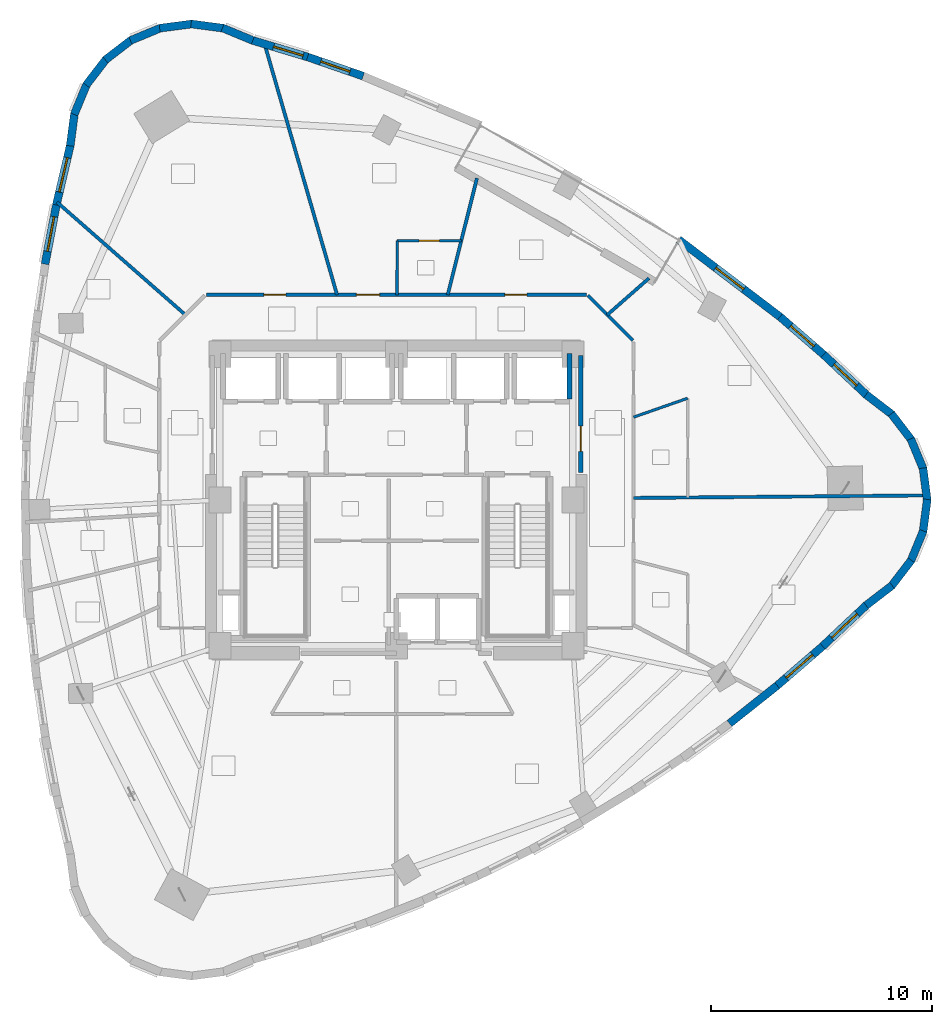
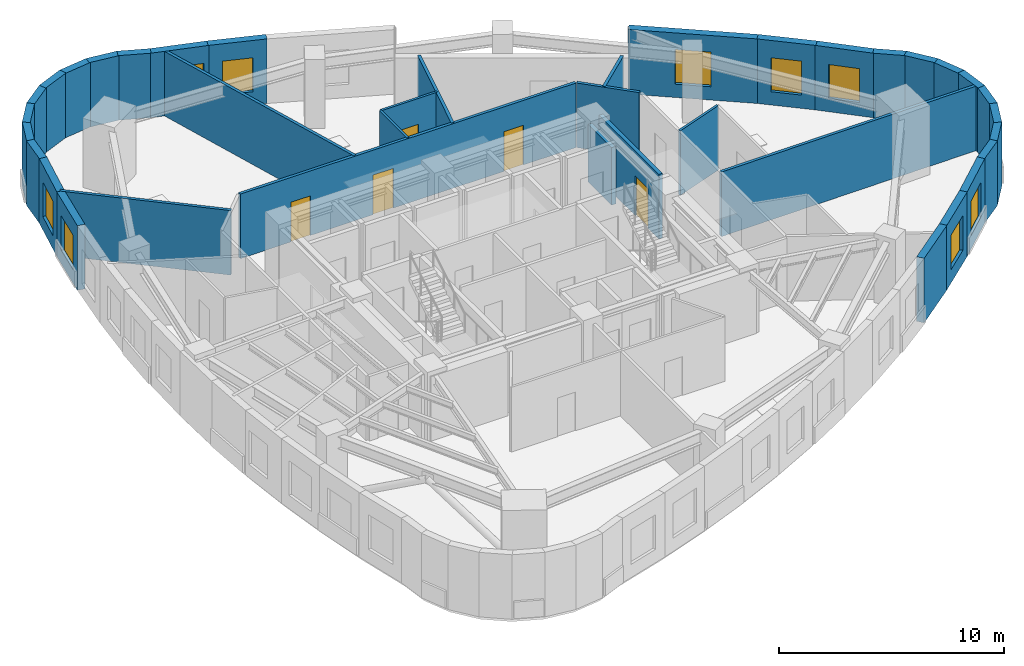
# One storey, part 10 of 14: 38 walls, 9 windows, 5 doors, 14 openings.
"""IFC4 building model written with IfcOpenShell, lengths in metres."""

from ifc_helpers import new_model, si_unit, direction, frame, frame_2d, origin, place, context, subcontext, project, spatial, rectangle, extrude, material, layer, layer_set, type_object, element, fill, save


model = new_model("IFC4")

# Units and contexts
model_context = context("Model", 3, precision=1e-05, world=origin(), true_north=direction((0.0, 1.0)))
body_context = subcontext(model_context, "Body", "Model", "MODEL_VIEW")
ifc_project = project(units=[si_unit("LENGTHUNIT", "METRE"), si_unit("AREAUNIT", "SQUARE_METRE"), si_unit("VOLUMEUNIT", "CUBIC_METRE"), si_unit("PLANEANGLEUNIT", "RADIAN"), si_unit("MASSUNIT", "GRAM", prefix="KILO")], contexts=[model_context])

# Site, building, storey
site_placement = place(None, origin())
site = spatial("IfcSite", under=ifc_project, at=site_placement, CompositionType="ELEMENT")
building_placement = place(site_placement, origin())
building = spatial("IfcBuilding", under=site, at=building_placement, Name="Ndelora Gate Hotel", CompositionType="ELEMENT")
storey_placement = place(building_placement, frame((0.0, 0.0, 127.25)))
storey = spatial("IfcBuildingStorey", under=building, at=storey_placement, Name="L31", CompositionType="ELEMENT", Elevation=127.25)

# Walls
ifc_material_1 = material(Name="Clay Brick Masonry", Category="masonry")
ifc_layer_1 = layer(ifc_material_1, 0.360107421875)
ifc_layer_set_1 = layer_set([ifc_layer_1], Name="Clay Brick Masonry")
wall_type_1 = type_object("IfcWallType", Name="WL-BRICK-360", PredefinedType="SOLIDWALL", material=ifc_layer_set_1)
for number, where, z_axis, x_axis, name in (
    (1, (-7.8798828125, 21.39599609375, 0.0), (0.0, 0.0, 1.0), (0.923886669429, -0.382666201867, 0.0), "L31 Tower Brick Pier-and-Spandrel Wall TWR-1"),
    (2, (-9.304931640625, 21.576904296875, 0.0), (0.0, 0.0, 1.0), (0.991453176983, -0.130463013345, 0.0), "L31 Tower Brick Pier-and-Spandrel Wall TWR-2"),
    (3, (-10.728515625, 21.383056640625, 0.0), (0.0, 0.0, 1.0), (0.991453176983, 0.130463013345, 0.0), "L31 Tower Brick Pier-and-Spandrel Wall TWR-3"),
):
    element("IfcWall", number, at=place(storey_placement, frame(where, z_axis=z_axis, x_axis=x_axis)), inside=storey, type_object=wall_type_1, Name=name, PredefinedType="SOLIDWALL", context=body_context, shape_type="SweptSolid", body=[
        extrude(rectangle(XDim=1.48583984375, YDim=0.360107421875, at=frame_2d((0.742919921875, 0.0))), origin(), (0.0, 0.0, 1.0), 3.5),
    ])
wall_1_placement = place(storey_placement, frame((-12.05322265625, 20.827392578125, 0.0), z_axis=(0.0, 0.0, 1.0), x_axis=(0.923862604215, 0.382724298331, 0.0)))
element("IfcWall", 4, at=wall_1_placement, inside=storey, type_object=wall_type_1, Name="L31 Tower Brick Pier-and-Spandrel Wall TWR-4", PredefinedType="SOLIDWALL", context=body_context, shape_type="SweptSolid", body=[
    extrude(rectangle(XDim=1.485595703125, YDim=0.360107421875, at=frame_2d((0.74267578125, 0.0))), origin(), (0.0, 0.0, 1.0), 3.5),
])
for number, where, z_axis, x_axis, name in (
    (5, (-13.189208984375, 19.947509765625, 0.0), (0.0, 0.0, 1.0), (0.793325936538, 0.608797140611, 0.0), "L31 Tower Brick Pier-and-Spandrel Wall TWR-5"),
    (6, (-14.05859375, 18.803955078125, 0.0), (0.0, 0.0, 1.0), (0.608797140611, 0.793325936538, 0.0), "L31 Tower Brick Pier-and-Spandrel Wall TWR-6"),
):
    element("IfcWall", number, at=place(storey_placement, frame(where, z_axis=z_axis, x_axis=x_axis)), inside=storey, type_object=wall_type_1, Name=name, PredefinedType="SOLIDWALL", context=body_context, shape_type="SweptSolid", body=[
        extrude(rectangle(XDim=1.48583984375, YDim=0.360107421875, at=frame_2d((0.742919921875, 0.0))), origin(), (0.0, 0.0, 1.0), 3.5),
    ])
wall_2_placement = place(storey_placement, frame((-14.602294921875, 17.47412109375, 0.0), z_axis=(0.0, 0.0, 1.0), x_axis=(0.382724298331, 0.923862604215, 0.0)))
element("IfcWall", 7, at=wall_2_placement, inside=storey, type_object=wall_type_1, Name="L31 Tower Brick Pier-and-Spandrel Wall TWR-7", PredefinedType="SOLIDWALL", context=body_context, shape_type="SweptSolid", body=[
    extrude(rectangle(XDim=1.485595703125, YDim=0.360107421875, at=frame_2d((0.74267578125, 0.0))), origin(), (0.0, 0.0, 1.0), 3.5),
])
wall_3_placement = place(storey_placement, frame((-14.783447265625, 16.048828125, 0.0), z_axis=(0.0, 0.0, 1.0), x_axis=(0.130463013345, 0.991453176983, 0.0)))
element("IfcWall", 8, at=wall_3_placement, inside=storey, type_object=wall_type_1, Name="L31 Tower Brick Pier-and-Spandrel Wall TWR-8", PredefinedType="SOLIDWALL", context=body_context, shape_type="SweptSolid", body=[
    extrude(rectangle(XDim=1.48583984375, YDim=0.360107421875, at=frame_2d((0.742919921875, 0.0))), origin(), (0.0, 0.0, 1.0), 3.5),
])

# Wall, opening, window
wall_4_placement = place(storey_placement, frame((-15.412353515625, 13.37060546875, 0.0), z_axis=(0.0, 0.0, 1.0), x_axis=(0.22776138749, 0.973716976523, 0.0)))
wall_4 = element("IfcWall", 9, at=wall_4_placement, inside=storey, type_object=wall_type_1, Name="L31 Tower Brick Pier-and-Spandrel Wall TWR-9", PredefinedType="SOLIDWALL", context=body_context, shape_type="SweptSolid", body=[
    extrude(rectangle(XDim=2.801025390625, YDim=0.360107421875, at=frame_2d((1.400390625, 0.0))), origin(), (0.0, 0.0, 1.0), 3.5),
])
opening_1_placement = place(wall_4_placement, frame((0.6005859375, 0.0, 0.719970703125)))
opening_1 = element("IfcOpeningElement", 10, at=opening_1_placement, cuts=wall_4, Name="Opening W03", PredefinedType="OPENING", context=body_context, shape_type="SweptSolid", body=[
    extrude(rectangle(XDim=1.60009765625, YDim=1.8798828125, at=frame_2d((0.800048828125, 0.93994140625))), frame((0.0, 0.18994140625, 0.0), z_axis=(0.0, -1.0, 0.0), x_axis=(1.0, 0.0, 0.0)), (0.0, 0.0, 1.0), 0.380126953125),
])
ifc_material_2 = material(Name="Insulated Low-E Double Glazing in Bronze Aluminium Frame", Category="aluminium")
window_type_1 = type_object("IfcWindowType", Name="WN-CORN-2100", PartitioningType="SINGLE_PANEL", PredefinedType="WINDOW", material=ifc_material_2)
window_1_placement = place(opening_1_placement, origin())
window_1 = element("IfcWindow", 11, at=window_1_placement, inside=storey, type_object=window_type_1, Name="L31 Deep-Set Brick-Pier Window W03", OverallHeight=1.8798828125, OverallWidth=1.60009765625, PartitioningType="SINGLE_PANEL", PredefinedType="WINDOW", context=body_context, shape_type="SweptSolid", body=[
    extrude(rectangle(XDim=1.60009765625, YDim=1.8798828125, at=frame_2d((0.800048828125, 0.93994140625))), frame((0.0, 0.030029296875, 0.0), z_axis=(0.0, -1.0, 0.0), x_axis=(1.0, 0.0, 0.0)), (0.0, 0.0, 1.0), 0.06005859375),
])
fill(opening_1, window_1)

wall_5_placement = place(storey_placement, frame((-15.923828125, 10.691162109375, 0.0), z_axis=(0.0, 0.0, 1.0), x_axis=(0.187911722621, 0.982185921555, 0.0)))
wall_5 = element("IfcWall", 12, at=wall_5_placement, inside=storey, type_object=wall_type_1, Name="L31 Tower Brick Pier-and-Spandrel Wall TWR-10", PredefinedType="SOLIDWALL", context=body_context, shape_type="SweptSolid", body=[
    extrude(rectangle(XDim=2.77783203125, YDim=0.360107421875, at=frame_2d((1.388916015625, 0.0))), origin(), (0.0, 0.0, 1.0), 3.5),
])
opening_2_placement = place(wall_5_placement, frame((0.5888671875, 0.0, 0.719970703125)))
opening_2 = element("IfcOpeningElement", 13, at=opening_2_placement, cuts=wall_5, Name="Opening W01", PredefinedType="OPENING", context=body_context, shape_type="SweptSolid", body=[
    extrude(rectangle(XDim=1.60009765625, YDim=1.8798828125, at=frame_2d((0.800048828125, 0.93994140625))), frame((0.0, 0.18994140625, 0.0), z_axis=(0.0, -1.0, 0.0), x_axis=(1.0, 0.0, 0.0)), (0.0, 0.0, 1.0), 0.380126953125),
])
window_type_2 = type_object("IfcWindowType", Name="WN-DEEP-1600", PartitioningType="SINGLE_PANEL", PredefinedType="WINDOW", material=ifc_material_2)
window_2_placement = place(opening_2_placement, origin())
window_2 = element("IfcWindow", 14, at=window_2_placement, inside=storey, type_object=window_type_2, Name="L31 Deep-Set Brick-Pier Window W01", OverallHeight=1.8798828125, OverallWidth=1.60009765625, PartitioningType="SINGLE_PANEL", PredefinedType="WINDOW", context=body_context, shape_type="SweptSolid", body=[
    extrude(rectangle(XDim=1.60009765625, YDim=1.8798828125, at=frame_2d((0.800048828125, 0.93994140625))), frame((0.0, 0.030029296875, 0.0), z_axis=(0.0, -1.0, 0.0), x_axis=(1.0, 0.0, 0.0)), (0.0, 0.0, 1.0), 0.06005859375),
])
fill(opening_2, window_2)

# Wall
wall_6_placement = place(storey_placement, frame((17.25927734375, -8.412841796875, 0.0), z_axis=(0.0, 0.0, 1.0), x_axis=(-0.783005616034, -0.622014634281, 0.0)))
element("IfcWall", 15, at=wall_6_placement, inside=storey, type_object=wall_type_1, Name="L31 Tower Brick Pier-and-Spandrel Wall TWR-38", PredefinedType="SOLIDWALL", context=body_context, shape_type="SweptSolid", body=[
    extrude(rectangle(XDim=2.758544921875, YDim=0.360107421875, at=frame_2d((1.37939453125, 0.0))), origin(), (0.0, 0.0, 1.0), 3.5),
])

# Wall, opening, window
wall_7_placement = place(storey_placement, frame((19.322509765625, -6.62890625, 0.0), z_axis=(0.0, 0.0, 1.0), x_axis=(-0.756738013258, -0.65371827211, 0.0)))
wall_7 = element("IfcWall", 16, at=wall_7_placement, inside=storey, type_object=wall_type_1, Name="L31 Tower Brick Pier-and-Spandrel Wall TWR-39", PredefinedType="SOLIDWALL", context=body_context, shape_type="SweptSolid", body=[
    extrude(rectangle(XDim=2.77734375, YDim=0.360107421875, at=frame_2d((1.388671875, 0.0))), origin(), (0.0, 0.0, 1.0), 3.5),
])
opening_3_placement = place(wall_7_placement, frame((0.5888671875, 0.0, 0.719970703125)))
opening_3 = element("IfcOpeningElement", 17, at=opening_3_placement, cuts=wall_7, Name="Opening W01", PredefinedType="OPENING", context=body_context, shape_type="SweptSolid", body=[
    extrude(rectangle(XDim=1.60009765625, YDim=1.8798828125, at=frame_2d((0.800048828125, 0.93994140625))), frame((0.0, 0.18994140625, 0.0), z_axis=(0.0, -1.0, 0.0), x_axis=(1.0, 0.0, 0.0)), (0.0, 0.0, 1.0), 0.380126953125),
])
window_3_placement = place(opening_3_placement, origin())
window_3 = element("IfcWindow", 18, at=window_3_placement, inside=storey, type_object=window_type_2, Name="L31 Deep-Set Brick-Pier Window W01", OverallHeight=1.8798828125, OverallWidth=1.60009765625, PartitioningType="SINGLE_PANEL", PredefinedType="WINDOW", context=body_context, shape_type="SweptSolid", body=[
    extrude(rectangle(XDim=1.60009765625, YDim=1.8798828125, at=frame_2d((0.800048828125, 0.93994140625))), frame((0.0, 0.030029296875, 0.0), z_axis=(0.0, -1.0, 0.0), x_axis=(1.0, 0.0, 0.0)), (0.0, 0.0, 1.0), 0.06005859375),
])
fill(opening_3, window_3)

wall_8_placement = place(storey_placement, frame((21.32861328125, -4.74609375, 0.0), z_axis=(0.0, 0.0, 1.0), x_axis=(-0.729447500313, -0.684036800389, 0.0)))
wall_8 = element("IfcWall", 19, at=wall_8_placement, inside=storey, type_object=wall_type_1, Name="L31 Tower Brick Pier-and-Spandrel Wall TWR-40", PredefinedType="SOLIDWALL", context=body_context, shape_type="SweptSolid", body=[
    extrude(rectangle(XDim=2.801025390625, YDim=0.360107421875, at=frame_2d((1.400390625, 0.0))), origin(), (0.0, 0.0, 1.0), 3.5),
])
opening_4_placement = place(wall_8_placement, frame((0.6005859375, 0.0, 0.719970703125)))
opening_4 = element("IfcOpeningElement", 20, at=opening_4_placement, cuts=wall_8, Name="Opening W01", PredefinedType="OPENING", context=body_context, shape_type="SweptSolid", body=[
    extrude(rectangle(XDim=1.60009765625, YDim=1.8798828125, at=frame_2d((0.800048828125, 0.93994140625))), frame((0.0, 0.18994140625, 0.0), z_axis=(0.0, -1.0, 0.0), x_axis=(1.0, 0.0, 0.0)), (0.0, 0.0, 1.0), 0.380126953125),
])
window_4_placement = place(opening_4_placement, origin())
window_4 = element("IfcWindow", 21, at=window_4_placement, inside=storey, type_object=window_type_2, Name="L31 Deep-Set Brick-Pier Window W01", OverallHeight=1.8798828125, OverallWidth=1.60009765625, PartitioningType="SINGLE_PANEL", PredefinedType="WINDOW", context=body_context, shape_type="SweptSolid", body=[
    extrude(rectangle(XDim=1.60009765625, YDim=1.8798828125, at=frame_2d((0.800048828125, 0.93994140625))), frame((0.0, 0.030029296875, 0.0), z_axis=(0.0, -1.0, 0.0), x_axis=(1.0, 0.0, 0.0)), (0.0, 0.0, 1.0), 0.06005859375),
])
fill(opening_4, window_4)

# Walls
for number, where, z_axis, x_axis, name in (
    (22, (22.46923828125, -3.873779296875, 0.0), (0.0, 0.0, 1.0), (-0.793325936538, -0.608797140611, 0.0), "L31 Tower Brick Pier-and-Spandrel Wall TWR-41"),
    (23, (23.338623046875, -2.730224609375, 0.0), (0.0, 0.0, 1.0), (-0.608797140611, -0.793325936538, 0.0), "L31 Tower Brick Pier-and-Spandrel Wall TWR-42"),
    (24, (23.882568359375, -1.400390625, 0.0), (0.0, 0.0, 1.0), (-0.382666201867, -0.923886669429, 0.0), "L31 Tower Brick Pier-and-Spandrel Wall TWR-43"),
    (25, (24.063720703125, 0.02490234375, 0.0), (0.0, 0.0, 1.0), (-0.130624522576, -0.991431910976, 0.0), "L31 Tower Brick Pier-and-Spandrel Wall TWR-44"),
    (26, (23.86962890625, 1.4482421875, 0.0), (0.0, 0.0, 1.0), (0.130624522576, -0.991431910976, 0.0), "L31 Tower Brick Pier-and-Spandrel Wall TWR-45"),
    (27, (23.31396484375, 2.773193359375, 0.0), (0.0, 0.0, 1.0), (0.382666201867, -0.923886669429, 0.0), "L31 Tower Brick Pier-and-Spandrel Wall TWR-46"),
    (28, (22.43408203125, 3.908935546875, 0.0), (0.0, 0.0, 1.0), (0.608797140611, -0.793325936538, 0.0), "L31 Tower Brick Pier-and-Spandrel Wall TWR-47"),
    (29, (21.29052734375, 4.7783203125, 0.0), (0.0, 0.0, 1.0), (0.793325936538, -0.608797140611, 0.0), "L31 Tower Brick Pier-and-Spandrel Wall TWR-48"),
):
    element("IfcWall", number, at=place(storey_placement, frame(where, z_axis=z_axis, x_axis=x_axis)), inside=storey, type_object=wall_type_1, Name=name, PredefinedType="SOLIDWALL", context=body_context, shape_type="SweptSolid", body=[
        extrude(rectangle(XDim=1.48583984375, YDim=0.360107421875, at=frame_2d((0.742919921875, 0.0))), origin(), (0.0, 0.0, 1.0), 3.5),
    ])

# Wall, opening, window
wall_9_placement = place(storey_placement, frame((19.36669921875, 6.5888671875, 0.0), z_axis=(0.0, 0.0, 1.0), x_axis=(0.728891962159, -0.684628736981, 0.0)))
wall_9 = element("IfcWall", 30, at=wall_9_placement, inside=storey, type_object=wall_type_1, Name="L31 Tower Brick Pier-and-Spandrel Wall TWR-49", PredefinedType="SOLIDWALL", context=body_context, shape_type="SweptSolid", body=[
    extrude(rectangle(XDim=2.691650390625, YDim=0.360107421875, at=frame_2d((1.345703125, 0.0))), origin(), (0.0, 0.0, 1.0), 3.5),
])
opening_5_placement = place(wall_9_placement, frame((0.645751953125, 0.0, 0.719970703125)))
opening_5 = element("IfcOpeningElement", 31, at=opening_5_placement, cuts=wall_9, Name="Opening W02", PredefinedType="OPENING", context=body_context, shape_type="SweptSolid", body=[
    extrude(rectangle(XDim=1.39990234375, YDim=1.840087890625, at=frame_2d((0.699951171875, 0.919921875))), frame((0.0, 0.18994140625, 0.0), z_axis=(0.0, -1.0, 0.0), x_axis=(1.0, 0.0, 0.0)), (0.0, 0.0, 1.0), 0.380126953125),
])
window_type_3 = type_object("IfcWindowType", Name="WN-DEEP-1400", PartitioningType="SINGLE_PANEL", PredefinedType="WINDOW", material=ifc_material_2)
window_5_placement = place(opening_5_placement, origin())
window_5 = element("IfcWindow", 32, at=window_5_placement, inside=storey, type_object=window_type_3, Name="L31 Deep-Set Brick-Pier Window W02", OverallHeight=1.840087890625, OverallWidth=1.39990234375, PartitioningType="SINGLE_PANEL", PredefinedType="WINDOW", context=body_context, shape_type="SweptSolid", body=[
    extrude(rectangle(XDim=1.39990234375, YDim=1.840087890625, at=frame_2d((0.699951171875, 0.919921875))), frame((0.0, 0.030029296875, 0.0), z_axis=(0.0, -1.0, 0.0), x_axis=(1.0, 0.0, 0.0)), (0.0, 0.0, 1.0), 0.06005859375),
])
fill(opening_5, window_5)

wall_10_placement = place(storey_placement, frame((17.387939453125, 8.305908203125, 0.0), z_axis=(0.0, 0.0, 1.0), x_axis=(0.755058136048, -0.655657846126, 0.0)))
wall_10 = element("IfcWall", 33, at=wall_10_placement, inside=storey, type_object=wall_type_1, Name="L31 Tower Brick Pier-and-Spandrel Wall TWR-50", PredefinedType="SOLIDWALL", context=body_context, shape_type="SweptSolid", body=[
    extrude(rectangle(XDim=2.669921875, YDim=0.360107421875, at=frame_2d((1.3349609375, 0.0))), origin(), (0.0, 0.0, 1.0), 3.5),
])
opening_6_placement = place(wall_10_placement, frame((0.635009765625, 0.0, 0.719970703125)))
opening_6 = element("IfcOpeningElement", 34, at=opening_6_placement, cuts=wall_10, Name="Opening W02", PredefinedType="OPENING", context=body_context, shape_type="SweptSolid", body=[
    extrude(rectangle(XDim=1.39990234375, YDim=1.840087890625, at=frame_2d((0.699951171875, 0.919921875))), frame((0.0, 0.18994140625, 0.0), z_axis=(0.0, -1.0, 0.0), x_axis=(1.0, 0.0, 0.0)), (0.0, 0.0, 1.0), 0.380126953125),
])
window_6_placement = place(opening_6_placement, origin())
window_6 = element("IfcWindow", 35, at=window_6_placement, inside=storey, type_object=window_type_3, Name="L31 Deep-Set Brick-Pier Window W02", OverallHeight=1.840087890625, OverallWidth=1.39990234375, PartitioningType="SINGLE_PANEL", PredefinedType="WINDOW", context=body_context, shape_type="SweptSolid", body=[
    extrude(rectangle(XDim=1.39990234375, YDim=1.840087890625, at=frame_2d((0.699951171875, 0.919921875))), frame((0.0, 0.030029296875, 0.0), z_axis=(0.0, -1.0, 0.0), x_axis=(1.0, 0.0, 0.0)), (0.0, 0.0, 1.0), 0.06005859375),
])
fill(opening_6, window_6)

wall_11_placement = place(storey_placement, frame((12.791259765625, 11.8046875, 0.0), z_axis=(0.0, 0.0, 1.0), x_axis=(0.795558665525, -0.605876563095, 0.0)))
wall_11 = element("IfcWall", 36, at=wall_11_placement, inside=storey, type_object=wall_type_1, Name="L31 Tower Brick Pier-and-Spandrel Wall TWR-51", PredefinedType="SOLIDWALL", context=body_context, shape_type="SweptSolid", body=[
    extrude(rectangle(XDim=5.82666015625, YDim=0.360107421875, at=frame_2d((2.913330078125, 0.0))), origin(), (0.0, 0.0, 1.0), 3.5),
])
opening_7_placement = place(wall_11_placement, frame((2.11328125, 0.0, 0.719970703125)))
opening_7 = element("IfcOpeningElement", 37, at=opening_7_placement, cuts=wall_11, Name="Opening W01", PredefinedType="OPENING", context=body_context, shape_type="SweptSolid", body=[
    extrude(rectangle(XDim=1.60009765625, YDim=1.8798828125, at=frame_2d((0.800048828125, 0.93994140625))), frame((0.0, 0.18994140625, 0.0), z_axis=(0.0, -1.0, 0.0), x_axis=(1.0, 0.0, 0.0)), (0.0, 0.0, 1.0), 0.380126953125),
])
window_7_placement = place(opening_7_placement, origin())
window_7 = element("IfcWindow", 38, at=window_7_placement, inside=storey, type_object=window_type_2, Name="L31 Deep-Set Brick-Pier Window W01", OverallHeight=1.8798828125, OverallWidth=1.60009765625, PartitioningType="SINGLE_PANEL", PredefinedType="WINDOW", context=body_context, shape_type="SweptSolid", body=[
    extrude(rectangle(XDim=1.60009765625, YDim=1.8798828125, at=frame_2d((0.800048828125, 0.93994140625))), frame((0.0, 0.030029296875, 0.0), z_axis=(0.0, -1.0, 0.0), x_axis=(1.0, 0.0, 0.0)), (0.0, 0.0, 1.0), 0.06005859375),
])
fill(opening_7, window_7)

wall_12_placement = place(storey_placement, frame((-4.02490234375, 20.081787109375, 0.0), z_axis=(0.0, 0.0, 1.0), x_axis=(0.945339936715, -0.326086497807, 0.0)))
wall_12 = element("IfcWall", 39, at=wall_12_placement, inside=storey, type_object=wall_type_1, Name="L31 Tower Brick Pier-and-Spandrel Wall TWR-57", PredefinedType="SOLIDWALL", context=body_context, shape_type="SweptSolid", body=[
    extrude(rectangle(XDim=2.669921875, YDim=0.360107421875, at=frame_2d((1.3349609375, 0.0))), origin(), (0.0, 0.0, 1.0), 3.5),
])
opening_8_placement = place(wall_12_placement, frame((0.635009765625, 0.0, 0.719970703125)))
opening_8 = element("IfcOpeningElement", 40, at=opening_8_placement, cuts=wall_12, Name="Opening W02", PredefinedType="OPENING", context=body_context, shape_type="SweptSolid", body=[
    extrude(rectangle(XDim=1.39990234375, YDim=1.840087890625, at=frame_2d((0.699951171875, 0.919921875))), frame((0.0, 0.18994140625, 0.0), z_axis=(0.0, -1.0, 0.0), x_axis=(1.0, 0.0, 0.0)), (0.0, 0.0, 1.0), 0.380126953125),
])
window_8_placement = place(opening_8_placement, origin())
window_8 = element("IfcWindow", 41, at=window_8_placement, inside=storey, type_object=window_type_3, Name="L31 Deep-Set Brick-Pier Window W02", OverallHeight=1.840087890625, OverallWidth=1.39990234375, PartitioningType="SINGLE_PANEL", PredefinedType="WINDOW", context=body_context, shape_type="SweptSolid", body=[
    extrude(rectangle(XDim=1.39990234375, YDim=1.840087890625, at=frame_2d((0.699951171875, 0.919921875))), frame((0.0, 0.030029296875, 0.0), z_axis=(0.0, -1.0, 0.0), x_axis=(1.0, 0.0, 0.0)), (0.0, 0.0, 1.0), 0.06005859375),
])
fill(opening_8, window_8)

wall_13_placement = place(storey_placement, frame((-6.55419921875, 20.843994140625, 0.0), z_axis=(0.0, 0.0, 1.0), x_axis=(0.95736321508, -0.288886957843, 0.0)))
wall_13 = element("IfcWall", 42, at=wall_13_placement, inside=storey, type_object=wall_type_1, Name="L31 Tower Brick Pier-and-Spandrel Wall TWR-58", PredefinedType="SOLIDWALL", context=body_context, shape_type="SweptSolid", body=[
    extrude(rectangle(XDim=2.691650390625, YDim=0.360107421875, at=frame_2d((1.345703125, 0.0))), origin(), (0.0, 0.0, 1.0), 3.5),
])
opening_9_placement = place(wall_13_placement, frame((1.03173828125, 0.0, 0.719970703125)))
opening_9 = element("IfcOpeningElement", 43, at=opening_9_placement, cuts=wall_13, Name="Opening W02", PredefinedType="OPENING", context=body_context, shape_type="SweptSolid", body=[
    extrude(rectangle(XDim=1.39990234375, YDim=1.840087890625, at=frame_2d((0.699951171875, 0.919921875))), frame((0.0, 0.18994140625, 0.0), z_axis=(0.0, -1.0, 0.0), x_axis=(1.0, 0.0, 0.0)), (0.0, 0.0, 1.0), 0.380126953125),
])
window_9_placement = place(opening_9_placement, origin())
window_9 = element("IfcWindow", 44, at=window_9_placement, inside=storey, type_object=window_type_3, Name="L31 Deep-Set Brick-Pier Window W02", OverallHeight=1.840087890625, OverallWidth=1.39990234375, PartitioningType="SINGLE_PANEL", PredefinedType="WINDOW", context=body_context, shape_type="SweptSolid", body=[
    extrude(rectangle(XDim=1.39990234375, YDim=1.840087890625, at=frame_2d((0.699951171875, 0.919921875))), frame((0.0, 0.030029296875, 0.0), z_axis=(0.0, -1.0, 0.0), x_axis=(1.0, 0.0, 0.0)), (0.0, 0.0, 1.0), 0.06005859375),
])
fill(opening_9, window_9)

# Wall, opening, door
ifc_material_3 = material(Name="Concrete C40/50", Category="concrete")
ifc_layer_2 = layer(ifc_material_3, 0.199951171875)
ifc_layer_set_2 = layer_set([ifc_layer_2], Name="Concrete C40/50")
wall_type_2 = type_object("IfcWallType", Name="WL-FIRE-200", PredefinedType="PARTITIONING", material=ifc_layer_set_2)
wall_14_placement = place(storey_placement, frame((8.35009765625, 1.25, 0.0), z_axis=(0.0, 0.0, 1.0), x_axis=(0.0, 1.0, 0.0)))
wall_14 = element("IfcWall", 45, at=wall_14_placement, inside=storey, type_object=wall_type_2, Name="L31 Interior Wall IW-2", PredefinedType="PARTITIONING", context=body_context, shape_type="SweptSolid", body=[
    extrude(rectangle(XDim=5.300048828125, YDim=0.199951171875, at=frame_2d((2.64990234375, 0.0))), origin(), (0.0, 0.0, 1.0), 3.5),
])
opening_10_placement = place(wall_14_placement, frame((0.949951171875, 0.0, 0.0)))
opening_10 = element("IfcOpeningElement", 46, at=opening_10_placement, cuts=wall_14, Name="Opening FD1", PredefinedType="OPENING", context=body_context, shape_type="SweptSolid", body=[
    extrude(rectangle(XDim=1.14990234375, YDim=2.14990234375, at=frame_2d((0.574951171875, 1.074951171875))), frame((0.0, 0.10986328125, 0.0), z_axis=(0.0, -1.0, 0.0), x_axis=(1.0, 0.0, 0.0)), (0.0, 0.0, 1.0), 0.219970703125),
])
ifc_material_4 = material(Name="Fire-Rated Timber-Veneer Steel Core", Category="steel")
door_type_1 = type_object("IfcDoorType", Name="DR-FD60", OperationType="SINGLE_SWING_LEFT", PredefinedType="DOOR", material=ifc_material_4)
door_1_placement = place(opening_10_placement, origin())
door_1 = element("IfcDoor", 47, at=door_1_placement, inside=storey, type_object=door_type_1, Name="L31 Firefighting Lobby East Corridor Door", OperationType="SINGLE_SWING_RIGHT", OverallHeight=2.14990234375, OverallWidth=1.14990234375, PredefinedType="DOOR", context=body_context, shape_type="SweptSolid", body=[
    extrude(rectangle(XDim=1.14990234375, YDim=2.14990234375, at=frame_2d((0.574951171875, 1.074951171875))), frame((0.0, 0.02490234375, 0.0), z_axis=(0.0, -1.0, 0.0), x_axis=(1.0, 0.0, 0.0)), (0.0, 0.0, 1.0), 0.050048828125),
])
fill(opening_10, door_1)

# Wall
ifc_material_5 = material(Name="Fire-Rated Gypsum Stud Partition", Category="gypsum")
ifc_layer_3 = layer(ifc_material_5, 0.14990234375)
ifc_layer_set_3 = layer_set([ifc_layer_3], Name="Fire-Rated Gypsum Stud Partition")
wall_type_3 = type_object("IfcWallType", Name="WL-PART-150", PredefinedType="PARTITIONING", material=ifc_layer_set_3)
wall_15_placement = place(storey_placement, frame((8.67822265625, 9.271728515625, 0.0), z_axis=(0.0, 0.0, 1.0), x_axis=(0.707106781187, -0.707106781187, 0.0)))
element("IfcWall", 48, at=wall_15_placement, inside=storey, type_object=wall_type_3, Name="L31 Interior Wall IW-5", PredefinedType="PARTITIONING", context=body_context, shape_type="SweptSolid", body=[
    extrude(rectangle(XDim=2.889892578125, YDim=0.14990234375, at=frame_2d((1.44482421875, 0.0))), origin(), (0.0, 0.0, 1.0), 3.5),
])

# Wall, openings, doors
wall_16_placement = place(storey_placement, frame((-8.610107421875, 9.300048828125, 0.0), z_axis=(0.0, 0.0, 1.0), x_axis=(1.0, 0.0, 0.0)))
wall_16 = element("IfcWall", 49, at=wall_16_placement, inside=storey, type_object=wall_type_3, Name="L31 Interior Wall IW-5", PredefinedType="PARTITIONING", context=body_context, shape_type="SweptSolid", body=[
    extrude(rectangle(XDim=17.22021484375, YDim=0.14990234375, at=frame_2d((8.610107421875, 0.0))), origin(), (0.0, 0.0, 1.0), 3.5),
])
opening_11_placement = place(wall_16_placement, frame((13.52978515625, 0.0, 0.0)))
opening_11 = element("IfcOpeningElement", 50, at=opening_11_placement, cuts=wall_16, Name="Opening D01", PredefinedType="OPENING", context=body_context, shape_type="SweptSolid", body=[
    extrude(rectangle(XDim=1.0, YDim=2.14990234375, at=frame_2d((0.5, 1.074951171875))), frame((0.0, 0.0849609375, 0.0), z_axis=(0.0, -1.0, 0.0), x_axis=(1.0, 0.0, 0.0)), (0.0, 0.0, 1.0), 0.169921875),
])
opening_12_placement = place(wall_16_placement, frame((6.796875, 0.0, 0.0)))
opening_12 = element("IfcOpeningElement", 51, at=opening_12_placement, cuts=wall_16, Name="Opening D07", PredefinedType="OPENING", context=body_context, shape_type="SweptSolid", body=[
    extrude(rectangle(XDim=1.06005859375, YDim=2.14990234375, at=frame_2d((0.530029296875, 1.074951171875))), frame((0.0, 0.0849609375, 0.0), z_axis=(0.0, -1.0, 0.0), x_axis=(1.0, 0.0, 0.0)), (0.0, 0.0, 1.0), 0.169921875),
])
opening_13_placement = place(wall_16_placement, frame((2.601318359375, 0.0, 0.0)))
opening_13 = element("IfcOpeningElement", 52, at=opening_13_placement, cuts=wall_16, Name="Opening D01", PredefinedType="OPENING", context=body_context, shape_type="SweptSolid", body=[
    extrude(rectangle(XDim=1.0, YDim=2.14990234375, at=frame_2d((0.5, 1.074951171875))), frame((0.0, 0.0849609375, 0.0), z_axis=(0.0, -1.0, 0.0), x_axis=(1.0, 0.0, 0.0)), (0.0, 0.0, 1.0), 0.169921875),
])
ifc_material_6 = material(Name="Acoustic Hardwood Guest Entrance Door", Category="wood")
door_type_2 = type_object("IfcDoorType", Name="DR-COR-1000", OperationType="SINGLE_SWING_LEFT", PredefinedType="DOOR", material=ifc_material_6)
door_2_placement = place(opening_11_placement, origin())
door_2 = element("IfcDoor", 53, at=door_2_placement, inside=storey, type_object=door_type_2, Name="L31 Sky Garden Tea Dining Room Entrance Door", OperationType="SINGLE_SWING_RIGHT", OverallHeight=2.14990234375, OverallWidth=1.0, PredefinedType="DOOR", context=body_context, shape_type="SweptSolid", body=[
    extrude(rectangle(XDim=1.0, YDim=2.14990234375, at=frame_2d((0.5, 1.074951171875))), frame((0.0, 0.02490234375, 0.0), z_axis=(0.0, -1.0, 0.0), x_axis=(1.0, 0.0, 0.0)), (0.0, 0.0, 1.0), 0.050048828125),
])
fill(opening_11, door_2)
door_3_placement = place(opening_13_placement, origin())
door_3 = element("IfcDoor", 54, at=door_3_placement, inside=storey, type_object=door_type_2, Name="L31 Private Club Dining Room Entrance Door", OperationType="SINGLE_SWING_LEFT", OverallHeight=2.14990234375, OverallWidth=1.0, PredefinedType="DOOR", context=body_context, shape_type="SweptSolid", body=[
    extrude(rectangle(XDim=1.0, YDim=2.14990234375, at=frame_2d((0.5, 1.074951171875))), frame((0.0, 0.02490234375, 0.0), z_axis=(0.0, -1.0, 0.0), x_axis=(1.0, 0.0, 0.0)), (0.0, 0.0, 1.0), 0.050048828125),
])
fill(opening_13, door_3)
ifc_material_7 = material(Name="Diplomatic Suite Acoustic Entrance Door", Category="wood")
door_type_3 = type_object("IfcDoorType", Name="DR-SUITE-1060", OperationType="SINGLE_SWING_LEFT", PredefinedType="DOOR", material=ifc_material_7)
door_4_placement = place(opening_12_placement, origin())
door_4 = element("IfcDoor", 55, at=door_4_placement, inside=storey, type_object=door_type_3, Name="L31 Club Executive Suite 3405 Entrance Door", OperationType="SINGLE_SWING_LEFT", OverallHeight=2.14990234375, OverallWidth=1.06005859375, PredefinedType="DOOR", context=body_context, shape_type="SweptSolid", body=[
    extrude(rectangle(XDim=1.06005859375, YDim=2.14990234375, at=frame_2d((0.530029296875, 1.074951171875))), frame((0.0, 0.02490234375, 0.0), z_axis=(0.0, -1.0, 0.0), x_axis=(1.0, 0.0, 0.0)), (0.0, 0.0, 1.0), 0.050048828125),
])
fill(opening_12, door_4)

# Walls
wall_17_placement = place(storey_placement, frame((10.75, 0.09228515625, 0.0), z_axis=(0.0, 0.0, 1.0), x_axis=(0.999962849389, 0.008619735634, 0.0)))
element("IfcWall", 56, at=wall_17_placement, inside=storey, type_object=wall_type_3, Name="L31 Interior Wall IW-5", PredefinedType="PARTITIONING", context=body_context, shape_type="SweptSolid", body=[
    extrude(rectangle(XDim=13.28369140625, YDim=0.14990234375, at=frame_2d((6.641845703125, 0.0))), origin(), (0.0, 0.0, 1.0), 3.5),
])
wall_18_placement = place(storey_placement, frame((9.5595703125, 8.390380859375, 0.0), z_axis=(0.0, 0.0, 1.0), x_axis=(0.751523551738, 0.659706261289, 0.0)))
element("IfcWall", 57, at=wall_18_placement, inside=storey, type_object=wall_type_3, Name="L31 Interior Wall IW-5", PredefinedType="PARTITIONING", context=body_context, shape_type="SweptSolid", body=[
    extrude(rectangle(XDim=2.515380859375, YDim=0.14990234375, at=frame_2d((1.2578125, 0.0))), origin(), (0.0, 0.0, 1.0), 3.5),
])
wall_19_placement = place(storey_placement, frame((2.3291015625, 9.300048828125, 0.0), z_axis=(0.0, 0.0, 1.0), x_axis=(0.242946626974, 0.970039657149, 0.0)))
element("IfcWall", 58, at=wall_19_placement, inside=storey, type_object=wall_type_3, Name="L31 Interior Wall IW-5", PredefinedType="PARTITIONING", context=body_context, shape_type="SweptSolid", body=[
    extrude(rectangle(XDim=5.45068359375, YDim=0.14990234375, at=frame_2d((2.725341796875, 0.0))), origin(), (0.0, 0.0, 1.0), 3.5),
])
wall_20_placement = place(storey_placement, frame((-2.6875, 9.300048828125, 0.0), z_axis=(0.0, 0.0, 1.0), x_axis=(-0.277627242784, 0.960688874748, 0.0)))
element("IfcWall", 59, at=wall_20_placement, inside=storey, type_object=wall_type_3, Name="L31 Interior Wall IW-5", PredefinedType="PARTITIONING", context=body_context, shape_type="SweptSolid", body=[
    extrude(rectangle(XDim=11.833740234375, YDim=0.14990234375, at=frame_2d((5.9169921875, 0.0))), origin(), (0.0, 0.0, 1.0), 3.5),
])
wall_21_placement = place(storey_placement, frame((-9.5595703125, 8.390380859375, 0.0), z_axis=(0.0, 0.0, 1.0), x_axis=(-0.751560639242, 0.659664009586, 0.0)))
element("IfcWall", 60, at=wall_21_placement, inside=storey, type_object=wall_type_3, Name="L31 Interior Wall IW-5", PredefinedType="PARTITIONING", context=body_context, shape_type="SweptSolid", body=[
    extrude(rectangle(XDim=7.746826171875, YDim=0.14990234375, at=frame_2d((3.87353515625, 0.0))), origin(), (0.0, 0.0, 1.0), 3.5),
])
ifc_layer_4 = layer(ifc_material_3, 0.219970703125)
ifc_layer_set_4 = layer_set([ifc_layer_4], Name="Concrete C40/50")
wall_type_4 = type_object("IfcWallType", Name="WL-SHAFT-220", PredefinedType="PARTITIONING", material=ifc_layer_set_4)
wall_22_placement = place(storey_placement, frame((7.85009765625, 4.570068359375, 0.0), z_axis=(0.0, 0.0, 1.0), x_axis=(0.0, 1.0, 0.0)))
element("IfcWall", 61, at=wall_22_placement, inside=storey, type_object=wall_type_4, Name="L31 Interior Wall IW-1", PredefinedType="PARTITIONING", context=body_context, shape_type="SweptSolid", body=[
    extrude(rectangle(XDim=2.079833984375, YDim=0.219970703125, at=frame_2d((1.0400390625, 0.0))), origin(), (0.0, 0.0, 1.0), 3.1201171875),
])
ifc_material_8 = material(Name="Moisture-Resistant Bathroom Tile Partition", Category="gypsum")
ifc_layer_5 = layer(ifc_material_8, 0.1201171875)
ifc_layer_set_5 = layer_set([ifc_layer_5], Name="Moisture-Resistant Bathroom Tile Partition")
wall_type_5 = type_object("IfcWallType", Name="WL-WET-120", PredefinedType="PARTITIONING", material=ifc_layer_set_5)
wall_23_placement = place(storey_placement, frame((13.199951171875, 4.610107421875, 0.0), z_axis=(0.0, 0.0, 1.0), x_axis=(-0.944070831108, -0.32974272676, 0.0)))
element("IfcWall", 62, at=wall_23_placement, inside=storey, type_object=wall_type_5, Name="L31 Interior Wall IW-7", PredefinedType="PARTITIONING", context=body_context, shape_type="SweptSolid", body=[
    extrude(rectangle(XDim=2.594970703125, YDim=0.1201171875, at=frame_2d((1.29736328125, 0.0))), origin(), (0.0, 0.0, 1.0), 3.5),
])
wall_24_placement = place(storey_placement, frame((0.02880859375, 9.300048828125, 0.0), z_axis=(0.0, 0.0, 1.0), x_axis=(0.00318882285, 0.999994915691, 0.0)))
element("IfcWall", 63, at=wall_24_placement, inside=storey, type_object=wall_type_5, Name="L31 Interior Wall IW-7", PredefinedType="PARTITIONING", context=body_context, shape_type="SweptSolid", body=[
    extrude(rectangle(XDim=2.449951171875, YDim=0.1201171875, at=frame_2d((1.22509765625, 0.0))), origin(), (0.0, 0.0, 1.0), 3.5),
])

# Wall, opening, door
wall_25_placement = place(storey_placement, frame((0.03662109375, 11.75, 0.0), z_axis=(0.0, 0.0, 1.0), x_axis=(1.0, 0.0, 0.0)))
wall_25 = element("IfcWall", 64, at=wall_25_placement, inside=storey, type_object=wall_type_5, Name="L31 Interior Wall IW-7", PredefinedType="PARTITIONING", context=body_context, shape_type="SweptSolid", body=[
    extrude(rectangle(XDim=2.906005859375, YDim=0.1201171875, at=frame_2d((1.453125, 0.0))), origin(), (0.0, 0.0, 1.0), 3.5),
])
opening_14_placement = place(wall_25_placement, frame((0.9931640625, 0.0, 0.0)))
opening_14 = element("IfcOpeningElement", 65, at=opening_14_placement, cuts=wall_25, Name="Opening D03", PredefinedType="OPENING", context=body_context, shape_type="SweptSolid", body=[
    extrude(rectangle(XDim=0.919921875, YDim=2.10009765625, at=frame_2d((0.4599609375, 1.050048828125))), frame((0.0, 0.070068359375, 0.0), z_axis=(0.0, -1.0, 0.0), x_axis=(1.0, 0.0, 0.0)), (0.0, 0.0, 1.0), 0.14013671875),
])
ifc_material_9 = material(Name="Moisture-Resistant Hardwood En-Suite Door", Category="wood")
door_type_4 = type_object("IfcDoorType", Name="DR-BATH-920", OperationType="SINGLE_SWING_LEFT", PredefinedType="DOOR", material=ifc_material_9)
door_5_placement = place(opening_14_placement, origin())
door_5 = element("IfcDoor", 66, at=door_5_placement, inside=storey, type_object=door_type_4, Name="L31 En-suite Bathroom 3405 Door", OperationType="SINGLE_SWING_RIGHT", OverallHeight=2.10009765625, OverallWidth=0.919921875, PredefinedType="DOOR", context=body_context, shape_type="SweptSolid", body=[
    extrude(rectangle(XDim=0.919921875, YDim=2.10009765625, at=frame_2d((0.4599609375, 1.050048828125))), frame((0.0, 0.02490234375, 0.0), z_axis=(0.0, -1.0, 0.0), x_axis=(1.0, 0.0, 0.0)), (0.0, 0.0, 1.0), 0.050048828125),
])
fill(opening_14, door_5)

save(model, "model.ifc")
